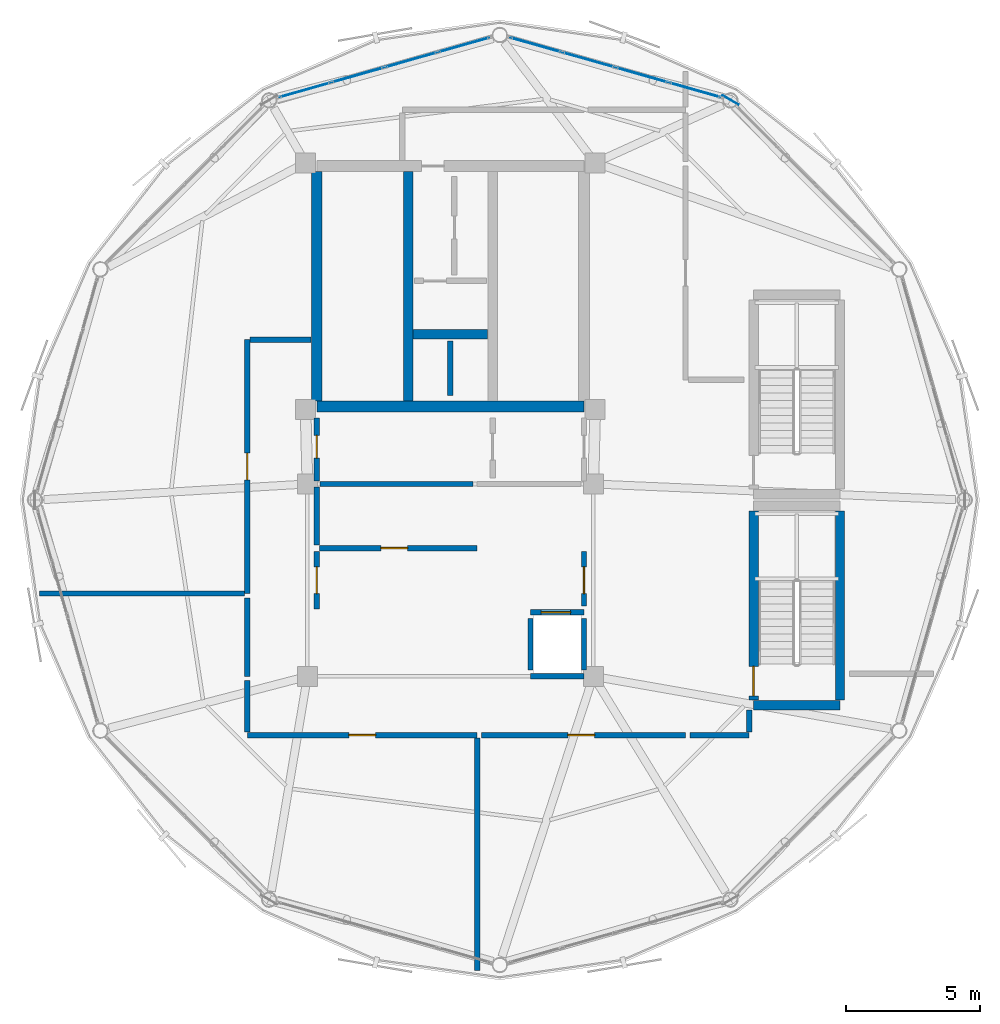
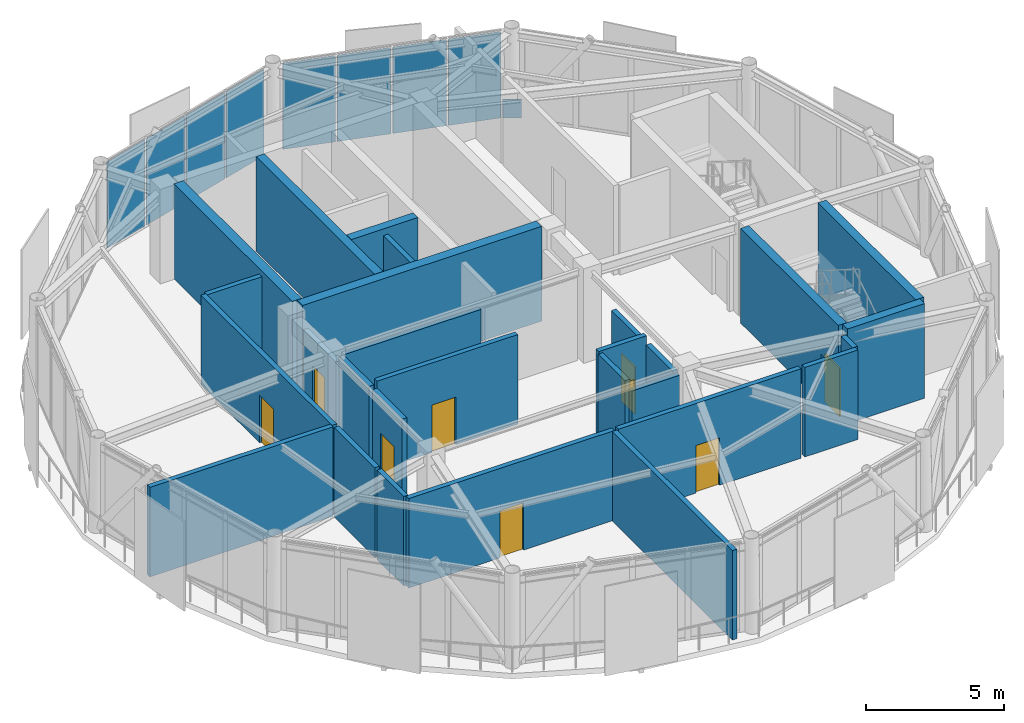
# One storey, part 16 of 20: 28 walls, 9 doors, 9 plates, 9 openings, 2 elements without a shape of their own.
"""IFC4 building model written with IfcOpenShell, lengths in metres."""

from ifc_helpers import new_model, si_unit, direction, frame, frame_2d, origin, origin_2d, place, context, subcontext, project, spatial, rectangle, extrude, source, transform, mapped, material, layer, layer_set, type_object, type_shapes, element, fill, aggregate, save


model = new_model("IFC4")

# Units and contexts
model_context = context("Model", 3, precision=1e-05, world=origin(), true_north=direction((0.0, 1.0)))
body_context = subcontext(model_context, "Body", "Model", "MODEL_VIEW")
ifc_project = project(units=[si_unit("LENGTHUNIT", "METRE"), si_unit("AREAUNIT", "SQUARE_METRE"), si_unit("VOLUMEUNIT", "CUBIC_METRE"), si_unit("PLANEANGLEUNIT", "RADIAN"), si_unit("MASSUNIT", "GRAM", prefix="KILO")], contexts=[model_context])

# Site, building, storey
site_placement = place(None, origin())
site = spatial("IfcSite", under=ifc_project, at=site_placement, CompositionType="ELEMENT")
building_placement = place(site_placement, origin())
building = spatial("IfcBuilding", under=site, at=building_placement, Name="Varnakorn Sky Granary", CompositionType="ELEMENT")
storey_placement = place(building_placement, frame((0.0, 0.0, 306.60009765625)))
storey = spatial("IfcBuildingStorey", under=building, at=storey_placement, Name="L78", CompositionType="ELEMENT", Elevation=306.60009765625)

# Plate
ifc_material_1 = material(Name="Steel S460M", Category="steel")
ifc_layer_1 = layer(ifc_material_1, 0.031982421875, Name="Steel S460M")
ifc_layer_set_1 = layer_set([ifc_layer_1], Name="Steel S460M")
plate_type_1 = type_object("IfcPlateType", Name="PL-NODE-KN8", PredefinedType="SHEET", material=ifc_layer_set_1)
plate_1_placement = place(storey_placement, frame((13.486083984375, 14.964111328125, 0.0), z_axis=(0.0, 0.0, 1.0), x_axis=(-0.866113789901, 0.499846879497, 0.0)))
element("IfcPlate", 1, at=plate_1_placement, inside=storey, type_object=plate_type_1, Name="Diagrid Node Gusset Assembly KN8 L78-3", PredefinedType="SHEET", context=body_context, shape_type="SweptSolid", body=[
    extrude(rectangle(XDim=0.699951171875, YDim=0.031982421875, at=origin_2d()), origin(), (0.0, 0.0, 1.0), 0.820068359375),
])

# Curtain wall, plates
ifc_material_2 = material(Name="Anodised Bronze Aluminium Alloy 6063-T6", Category="aluminium")
ifc_layer_2 = layer(ifc_material_2, 0.22998046875, Name="Anodised Bronze Aluminium Alloy 6063-T6")
ifc_layer_set_2 = layer_set([ifc_layer_2], Name="Anodised Bronze Aluminium Alloy 6063-T6")
curtain_wall_type = type_object("IfcCurtainWallType", Name="CW-LNT-1", PredefinedType="USERDEFINED", material=ifc_layer_set_2)
curtain_wall_1_placement = place(storey_placement, origin())
curtain_wall_1 = element("IfcCurtainWall", 2, at=curtain_wall_1_placement, inside=storey, type_object=curtain_wall_type, Name="Unitised Curtain Wall CW7 CW-L78-B03", ObjectType="CURTAIN WALL", PredefinedType="USERDEFINED")
ifc_material_3 = material(Name="Low-E Tinted Laminated Glass", Category="glass")
ifc_layer_3 = layer(ifc_material_3, 0.035888671875, Name="Low-E Tinted Laminated Glass")
ifc_layer_set_3 = layer_set([ifc_layer_3], Name="Low-E Tinted Laminated Glass")
plate_type_2 = type_object("IfcPlateType", Name="CW-LNT-1-PNL", PredefinedType="CURTAIN_PANEL")
shared_shape_1 = source(origin(), body_context, "Body", "SweptSolid", [
    extrude(rectangle(XDim=1.9619140625, YDim=0.035888671875, at=origin_2d()), origin(), (0.0, 0.0, 1.0), 3.81005859375),
])
plate_2_placement = place(storey_placement, frame((6.1923828125, 17.033203125, 0.074951171875), z_axis=(0.0, 0.0, 1.0), x_axis=(0.962041125905, -0.272904510897, 0.0)))
plate_2 = element("IfcPlate", 3, at=plate_2_placement, type_object=plate_type_2, material=ifc_layer_set_3, Name="CW7 vision glazing unit 1.1", PredefinedType="CURTAIN_PANEL", context=body_context, shape_type="MappedRepresentation", body=[
    mapped(shared_shape_1, transform((0.0, 0.0, 0.0), x_axis=(1.0, 0.0, 0.0), y_axis=(0.0, 1.0, 0.0), z_axis=(0.0, 0.0, 1.0), scale=1.0)),
])
ifc_material_4 = material(Name="Opaque Insulated Aluminium Shadow-Box Unit", Category="aluminium")
ifc_layer_4 = layer(ifc_material_4, 0.035888671875, Name="Opaque Insulated Aluminium Shadow-Box Unit")
ifc_layer_set_4 = layer_set([ifc_layer_4], Name="Opaque Insulated Aluminium Shadow-Box Unit")
plate_3_placement = place(storey_placement, frame((12.1435546875, 15.344970703125, 0.074951171875), z_axis=(0.0, 0.0, 1.0), x_axis=(0.962041125905, -0.272904510897, 0.0)))
plate_3 = element("IfcPlate", 4, at=plate_3_placement, type_object=plate_type_2, material=ifc_layer_set_4, Name="CW7 opaque insulated shadow-box unit 4.1", PredefinedType="CURTAIN_PANEL", context=body_context, shape_type="MappedRepresentation", body=[
    mapped(shared_shape_1, transform((0.0, 0.0, 0.0), x_axis=(1.0, 0.0, 0.0), y_axis=(0.0, 1.0, 0.0), z_axis=(0.0, 0.0, 1.0), scale=1.0)),
])

curtain_wall_2_placement = place(storey_placement, origin())
curtain_wall_2 = element("IfcCurtainWall", 5, at=curtain_wall_2_placement, inside=storey, type_object=curtain_wall_type, Name="Unitised Curtain Wall CW7 CW-L78-B04", ObjectType="CURTAIN WALL", PredefinedType="USERDEFINED")
plate_4_placement = place(storey_placement, frame((-2.443603515625, 15.344970703125, 0.074951171875), z_axis=(0.0, 0.0, 1.0), x_axis=(0.962041125905, 0.272904510897, 0.0)))
plate_4 = element("IfcPlate", 6, at=plate_4_placement, type_object=plate_type_2, material=ifc_layer_set_4, Name="CW7 opaque insulated shadow-box unit 1.1", PredefinedType="CURTAIN_PANEL", context=body_context, shape_type="MappedRepresentation", body=[
    mapped(shared_shape_1, transform((0.0, 0.0, 0.0), x_axis=(1.0, 0.0, 0.0), y_axis=(0.0, 1.0, 0.0), z_axis=(0.0, 0.0, 1.0), scale=1.0)),
])
plate_5_placement = place(storey_placement, frame((3.507568359375, 17.033203125, 0.074951171875), z_axis=(0.0, 0.0, 1.0), x_axis=(0.962041125905, 0.272904510897, 0.0)))
plate_5 = element("IfcPlate", 7, at=plate_5_placement, type_object=plate_type_2, material=ifc_layer_set_3, Name="CW7 vision glazing unit 4.1", PredefinedType="CURTAIN_PANEL", context=body_context, shape_type="MappedRepresentation", body=[
    mapped(shared_shape_1, transform((0.0, 0.0, 0.0), x_axis=(1.0, 0.0, 0.0), y_axis=(0.0, 1.0, 0.0), z_axis=(0.0, 0.0, 1.0), scale=1.0)),
])

# Plate
shared_shape_2 = source(origin(), body_context, "Body", "SweptSolid", [
    extrude(rectangle(XDim=1.99951171875, YDim=0.035888671875, at=origin_2d()), origin(), (0.0, 0.0, 1.0), 3.81005859375),
])
type_shapes(plate_type_2, [shared_shape_1, shared_shape_2])
plate_6_placement = place(storey_placement, frame((8.170166015625, 16.47216796875, 0.074951171875), z_axis=(0.0, 0.0, 1.0), x_axis=(0.962041125905, -0.272904510897, 0.0)))
plate_6 = element("IfcPlate", 8, at=plate_6_placement, type_object=plate_type_2, material=ifc_layer_set_3, Name="CW7 vision glazing unit 2.1", PredefinedType="CURTAIN_PANEL", context=body_context, shape_type="MappedRepresentation", body=[
    mapped(shared_shape_2, transform((0.0, 0.0, 0.0), x_axis=(1.0, 0.0, 0.0), y_axis=(0.0, 1.0, 0.0), z_axis=(0.0, 0.0, 1.0), scale=1.0)),
])

plate_7_placement = place(storey_placement, frame((10.165771484375, 15.906005859375, 0.074951171875), z_axis=(0.0, 0.0, 1.0), x_axis=(0.962041125905, -0.272904510897, 0.0)))
plate_7 = element("IfcPlate", 9, at=plate_7_placement, type_object=plate_type_2, material=ifc_layer_set_4, Name="CW7 opaque insulated shadow-box unit 3.1", PredefinedType="CURTAIN_PANEL", context=body_context, shape_type="MappedRepresentation", body=[
    mapped(shared_shape_2, transform((0.0, 0.0, 0.0), x_axis=(1.0, 0.0, 0.0), y_axis=(0.0, 1.0, 0.0), z_axis=(0.0, 0.0, 1.0), scale=1.0)),
])

aggregate(curtain_wall_1, [plate_2, plate_6, plate_7, plate_3])

plate_8_placement = place(storey_placement, frame((-0.4658203125, 15.906005859375, 0.074951171875), z_axis=(0.0, 0.0, 1.0), x_axis=(0.962041125905, 0.272904510897, 0.0)))
plate_8 = element("IfcPlate", 10, at=plate_8_placement, type_object=plate_type_2, material=ifc_layer_set_4, Name="CW7 opaque insulated shadow-box unit 2.1", PredefinedType="CURTAIN_PANEL", context=body_context, shape_type="MappedRepresentation", body=[
    mapped(shared_shape_2, transform((0.0, 0.0, 0.0), x_axis=(1.0, 0.0, 0.0), y_axis=(0.0, 1.0, 0.0), z_axis=(0.0, 0.0, 1.0), scale=1.0)),
])

plate_9_placement = place(storey_placement, frame((1.52978515625, 16.47216796875, 0.074951171875), z_axis=(0.0, 0.0, 1.0), x_axis=(0.962041125905, 0.272904510897, 0.0)))
plate_9 = element("IfcPlate", 11, at=plate_9_placement, type_object=plate_type_2, material=ifc_layer_set_3, Name="CW7 vision glazing unit 3.1", PredefinedType="CURTAIN_PANEL", context=body_context, shape_type="MappedRepresentation", body=[
    mapped(shared_shape_2, transform((0.0, 0.0, 0.0), x_axis=(1.0, 0.0, 0.0), y_axis=(0.0, 1.0, 0.0), z_axis=(0.0, 0.0, 1.0), scale=1.0)),
])

aggregate(curtain_wall_2, [plate_4, plate_8, plate_9, plate_5])

# Wall
ifc_material_5 = material(Name="Concrete C50/60", Category="concrete")
ifc_layer_5 = layer(ifc_material_5, 0.35009765625, Name="Concrete C50/60")
ifc_layer_set_5 = layer_set([ifc_layer_5], Name="Concrete C50/60")
wall_type_1 = type_object("IfcWallType", Name="WT-CW-INT-350", PredefinedType="SHEAR", material=ifc_layer_set_5)
wall_1_placement = place(storey_placement, frame((14.35009765625, -7.679931640625, 0.0), z_axis=(0.0, 0.0, 1.0), x_axis=(1.0, 0.0, 0.0)))
element("IfcWall", 12, at=wall_1_placement, inside=storey, type_object=wall_type_1, Name="Crown Stair STC2 South Wall L78", PredefinedType="SHEAR", context=body_context, shape_type="SweptSolid", body=[
    extrude(rectangle(XDim=3.22998046875, YDim=0.35009765625, at=frame_2d((1.614990234375, 0.0))), origin(), (0.0, 0.0, 1.0), 4.19189453125),
])

# Wall, opening, door
wall_2_placement = place(storey_placement, frame((14.35009765625, -7.489990234375, 0.0), z_axis=(0.0, 0.0, 1.0), x_axis=(0.0, 1.0, 0.0)))
wall_2 = element("IfcWall", 13, at=wall_2_placement, inside=storey, type_object=wall_type_1, Name="Crown Stair STC2 West Wall L78", PredefinedType="SHEAR", context=body_context, shape_type="SweptSolid", body=[
    extrude(rectangle(XDim=7.080078125, YDim=0.35009765625, at=frame_2d((3.5400390625, 0.0))), origin(), (0.0, 0.0, 1.0), 4.19189453125),
])
opening_1_placement = place(wall_2_placement, frame((0.159912109375, 0.0, 0.0)))
opening_1 = element("IfcOpeningElement", 14, at=opening_1_placement, cuts=wall_2, Name="Opening FD-90", PredefinedType="OPENING", context=body_context, shape_type="SweptSolid", body=[
    extrude(rectangle(XDim=1.10009765625, YDim=2.14990234375, at=frame_2d((0.550048828125, 1.074951171875))), frame((0.0, 0.18505859375, 0.0), z_axis=(0.0, -1.0, 0.0), x_axis=(1.0, 0.0, 0.0)), (0.0, 0.0, 1.0), 0.3701171875),
])
ifc_material_6 = material(Name="Galvanised Painted Steel Leaf", Category="steel")
door_type_1 = type_object("IfcDoorType", Name="DR-STAIR-1100", OperationType="NOTDEFINED", PredefinedType="DOOR", material=ifc_material_6)
door_1_placement = place(opening_1_placement, origin())
door_1 = element("IfcDoor", 15, at=door_1_placement, inside=storey, type_object=door_type_1, Name="Crown Stair STC2 Protected Fire Door L78", OperationType="SINGLE_SWING_RIGHT", OverallHeight=2.14990234375, OverallWidth=1.10009765625, PredefinedType="DOOR", context=body_context, shape_type="SweptSolid", body=[
    extrude(rectangle(XDim=1.10009765625, YDim=2.14990234375, at=frame_2d((0.550048828125, 1.074951171875))), frame((0.0, 0.02490234375, 0.0), z_axis=(0.0, -1.0, 0.0), x_axis=(1.0, 0.0, 0.0)), (0.0, 0.0, 1.0), 0.050048828125),
])
fill(opening_1, door_1)

# Walls
wall_3_placement = place(storey_placement, frame((17.580078125, -7.489990234375, 0.0), z_axis=(0.0, 0.0, 1.0), x_axis=(0.0, 1.0, 0.0)))
element("IfcWall", 16, at=wall_3_placement, inside=storey, type_object=wall_type_1, Name="Crown Stair STC2 East Wall L78", PredefinedType="SHEAR", context=body_context, shape_type="SweptSolid", body=[
    extrude(rectangle(XDim=7.080078125, YDim=0.35009765625, at=frame_2d((3.5400390625, 0.0))), origin(), (0.0, 0.0, 1.0), 4.19189453125),
])
wall_4_placement = place(storey_placement, frame((1.419921875, 3.7099609375, 0.0), z_axis=(0.0, 0.0, 1.0), x_axis=(0.0, 1.0, 0.0)))
element("IfcWall", 17, at=wall_4_placement, inside=storey, type_object=wall_type_1, Name="Stair ST-1 Core Wall L78", PredefinedType="SHEAR", context=body_context, shape_type="SweptSolid", body=[
    extrude(rectangle(XDim=8.580078125, YDim=0.35009765625, at=frame_2d((4.2900390625, 0.0))), origin(), (0.0, 0.0, 1.0), 4.19189453125),
])
wall_5_placement = place(storey_placement, frame((1.610107421875, 6.199951171875, 0.0), z_axis=(0.0, 0.0, 1.0), x_axis=(1.0, 0.0, 0.0)))
element("IfcWall", 18, at=wall_5_placement, inside=storey, type_object=wall_type_1, Name="Core Lift Shaft Cross Wall L78", PredefinedType="SHEAR", context=body_context, shape_type="SweptSolid", body=[
    extrude(rectangle(XDim=2.77978515625, YDim=0.35009765625, at=frame_2d((1.389892578125, 0.0))), origin(), (0.0, 0.0, 1.0), 4.19189453125),
])
ifc_layer_6 = layer(ifc_material_5, 0.39990234375, Name="Concrete C50/60")
ifc_layer_set_6 = layer_set([ifc_layer_6], Name="Concrete C50/60")
wall_type_2 = type_object("IfcWallType", Name="WT-CW-SHEAR-400", PredefinedType="SHEAR", material=ifc_layer_set_6)
wall_6_placement = place(storey_placement, frame((-2.0, 3.5, 0.0), z_axis=(0.0, 0.0, 1.0), x_axis=(1.0, 0.0, 0.0)))
element("IfcWall", 19, at=wall_6_placement, inside=storey, type_object=wall_type_2, Name="Core South Shear Wall L78", PredefinedType="SHEAR", context=body_context, shape_type="SweptSolid", body=[
    extrude(rectangle(XDim=10.0, YDim=0.39990234375, at=frame_2d((5.0, 0.0))), origin(), (0.0, 0.0, 1.0), 4.19189453125),
])
wall_7_placement = place(storey_placement, frame((-2.0, 3.7099609375, 0.0), z_axis=(0.0, 0.0, 1.0), x_axis=(0.0, 1.0, 0.0)))
element("IfcWall", 20, at=wall_7_placement, inside=storey, type_object=wall_type_2, Name="Core West Shear Wall L78", PredefinedType="SHEAR", context=body_context, shape_type="SweptSolid", body=[
    extrude(rectangle(XDim=8.580078125, YDim=0.39990234375, at=frame_2d((4.2900390625, 0.0))), origin(), (0.0, 0.0, 1.0), 4.19189453125),
])

# Wall, opening, door
ifc_material_7 = material(Name="Autoclaved Aerated Concrete Blockwork", Category="masonry")
ifc_layer_7 = layer(ifc_material_7, 0.199951171875, Name="Autoclaved Aerated Concrete Blockwork")
ifc_layer_set_7 = layer_set([ifc_layer_7], Name="Autoclaved Aerated Concrete Blockwork")
wall_type_3 = type_object("IfcWallType", Name="WT-FIRE-200", PredefinedType="MOVABLE", material=ifc_layer_set_7)
wall_8_placement = place(storey_placement, frame((-2.0, 0.719970703125, 0.0), z_axis=(0.0, 0.0, 1.0), x_axis=(0.0, 1.0, 0.0)))
wall_8 = element("IfcWall", 21, at=wall_8_placement, inside=storey, type_object=wall_type_3, Name="Interior Partition Wall L78-010", PredefinedType="MOVABLE", context=body_context, shape_type="SweptSolid", body=[
    extrude(rectangle(XDim=2.35009765625, YDim=0.199951171875, at=frame_2d((1.175048828125, 0.0))), origin(), (0.0, 0.0, 1.0), 3.2919921875),
])
opening_2_placement = place(wall_8_placement, frame((0.844970703125, 0.0, 0.0)))
opening_2 = element("IfcOpeningElement", 22, at=opening_2_placement, cuts=wall_8, Name="Opening FD-60N", PredefinedType="OPENING", context=body_context, shape_type="SweptSolid", body=[
    extrude(rectangle(XDim=0.85009765625, YDim=2.10009765625, at=frame_2d((0.425048828125, 1.050048828125))), frame((0.0, 0.10986328125, 0.0), z_axis=(0.0, -1.0, 0.0), x_axis=(1.0, 0.0, 0.0)), (0.0, 0.0, 1.0), 0.219970703125),
])
ifc_material_8 = material(Name="Acoustic Timber Fire Leaf", Category="wood")
door_type_2 = type_object("IfcDoorType", Name="DR-FD60-850", OperationType="NOTDEFINED", PredefinedType="DOOR", material=ifc_material_8)
door_2_placement = place(opening_2_placement, origin())
door_2 = element("IfcDoor", 23, at=door_2_placement, inside=storey, type_object=door_type_2, Name="Interior Door L78-010-1", OperationType="SINGLE_SWING_LEFT", OverallHeight=2.10009765625, OverallWidth=0.85009765625, PredefinedType="DOOR", context=body_context, shape_type="SweptSolid", body=[
    extrude(rectangle(XDim=0.85009765625, YDim=2.10009765625, at=frame_2d((0.425048828125, 1.050048828125))), frame((0.0, 0.02490234375, 0.0), z_axis=(0.0, -1.0, 0.0), x_axis=(1.0, 0.0, 0.0)), (0.0, 0.0, 1.0), 0.050048828125),
])
fill(opening_2, door_2)

wall_9_placement = place(storey_placement, frame((-2.0, -4.080078125, 0.0), z_axis=(0.0, 0.0, 1.0), x_axis=(0.0, 1.0, 0.0)))
wall_9 = element("IfcWall", 24, at=wall_9_placement, inside=storey, type_object=wall_type_3, Name="Interior Partition Wall L78-012", PredefinedType="MOVABLE", context=body_context, shape_type="SweptSolid", body=[
    extrude(rectangle(XDim=2.16015625, YDim=0.199951171875, at=frame_2d((1.080078125, 0.0))), origin(), (0.0, 0.0, 1.0), 3.671875),
])
opening_3_placement = place(wall_9_placement, frame((0.580078125, 0.0, 0.0)))
opening_3 = element("IfcOpeningElement", 25, at=opening_3_placement, cuts=wall_9, Name="Opening FD-60", PredefinedType="OPENING", context=body_context, shape_type="SweptSolid", body=[
    extrude(rectangle(XDim=1.0, YDim=2.10009765625, at=frame_2d((0.5, 1.050048828125))), frame((0.0, 0.10986328125, 0.0), z_axis=(0.0, -1.0, 0.0), x_axis=(1.0, 0.0, 0.0)), (0.0, 0.0, 1.0), 0.219970703125),
])
door_type_3 = type_object("IfcDoorType", Name="DR-FD60-1000", OperationType="NOTDEFINED", PredefinedType="DOOR", material=ifc_material_8)
door_3_placement = place(opening_3_placement, origin())
door_3 = element("IfcDoor", 26, at=door_3_placement, inside=storey, type_object=door_type_3, Name="Interior Door L78-012-1", OperationType="SINGLE_SWING_LEFT", OverallHeight=2.10009765625, OverallWidth=1.0, PredefinedType="DOOR", context=body_context, shape_type="SweptSolid", body=[
    extrude(rectangle(XDim=1.0, YDim=2.10009765625, at=frame_2d((0.5, 1.050048828125))), frame((0.0, 0.02490234375, 0.0), z_axis=(0.0, -1.0, 0.0), x_axis=(1.0, 0.0, 0.0)), (0.0, 0.0, 1.0), 0.050048828125),
])
fill(opening_3, door_3)

wall_10_placement = place(storey_placement, frame((8.0, -3.969970703125, 0.0), z_axis=(0.0, 0.0, 1.0), x_axis=(0.0, 1.0, 0.0)))
wall_10 = element("IfcWall", 27, at=wall_10_placement, inside=storey, type_object=wall_type_3, Name="Interior Partition Wall L78-013", PredefinedType="MOVABLE", context=body_context, shape_type="SweptSolid", body=[
    extrude(rectangle(XDim=2.050048828125, YDim=0.199951171875, at=frame_2d((1.02490234375, 0.0))), origin(), (0.0, 0.0, 1.0), 3.671875),
])
opening_4_placement = place(wall_10_placement, frame((0.469970703125, 0.0, 0.0)))
opening_4 = element("IfcOpeningElement", 28, at=opening_4_placement, cuts=wall_10, Name="Opening FD-60", PredefinedType="OPENING", context=body_context, shape_type="SweptSolid", body=[
    extrude(rectangle(XDim=1.0, YDim=2.10009765625, at=frame_2d((0.5, 1.050048828125))), frame((0.0, 0.10986328125, 0.0), z_axis=(0.0, -1.0, 0.0), x_axis=(1.0, 0.0, 0.0)), (0.0, 0.0, 1.0), 0.219970703125),
])
door_4_placement = place(opening_4_placement, origin())
door_4 = element("IfcDoor", 29, at=door_4_placement, inside=storey, type_object=door_type_3, Name="Interior Door L78-013-1", OperationType="SINGLE_SWING_RIGHT", OverallHeight=2.10009765625, OverallWidth=1.0, PredefinedType="DOOR", context=body_context, shape_type="SweptSolid", body=[
    extrude(rectangle(XDim=1.0, YDim=2.10009765625, at=frame_2d((0.5, 1.050048828125))), frame((0.0, 0.02490234375, 0.0), z_axis=(0.0, -1.0, 0.0), x_axis=(1.0, 0.0, 0.0)), (0.0, 0.0, 1.0), 0.050048828125),
])
fill(opening_4, door_4)

wall_11_placement = place(storey_placement, frame((-1.889892578125, -1.800048828125, 0.0), z_axis=(0.0, 0.0, 1.0), x_axis=(1.0, 0.0, 0.0)))
wall_11 = element("IfcWall", 30, at=wall_11_placement, inside=storey, type_object=wall_type_3, Name="Interior Partition Wall L78-014", PredefinedType="MOVABLE", context=body_context, shape_type="SweptSolid", body=[
    extrude(rectangle(XDim=5.889892578125, YDim=0.199951171875, at=frame_2d((2.94482421875, 0.0))), origin(), (0.0, 0.0, 1.0), 3.9599609375),
])
opening_5_placement = place(wall_11_placement, frame((2.2900390625, 0.0, 0.0)))
opening_5 = element("IfcOpeningElement", 31, at=opening_5_placement, cuts=wall_11, Name="Opening FD-60", PredefinedType="OPENING", context=body_context, shape_type="SweptSolid", body=[
    extrude(rectangle(XDim=1.0, YDim=2.10009765625, at=frame_2d((0.5, 1.050048828125))), frame((0.0, 0.10986328125, 0.0), z_axis=(0.0, -1.0, 0.0), x_axis=(1.0, 0.0, 0.0)), (0.0, 0.0, 1.0), 0.219970703125),
])
door_5_placement = place(opening_5_placement, origin())
door_5 = element("IfcDoor", 32, at=door_5_placement, inside=storey, type_object=door_type_3, Name="Interior Door L78-014-1", OperationType="SINGLE_SWING_LEFT", OverallHeight=2.10009765625, OverallWidth=1.0, PredefinedType="DOOR", context=body_context, shape_type="SweptSolid", body=[
    extrude(rectangle(XDim=1.0, YDim=2.10009765625, at=frame_2d((0.5, 1.050048828125))), frame((0.0, 0.02490234375, 0.0), z_axis=(0.0, -1.0, 0.0), x_axis=(1.0, 0.0, 0.0)), (0.0, 0.0, 1.0), 0.050048828125),
])
fill(opening_5, door_5)

wall_12_placement = place(storey_placement, frame((-4.60009765625, 6.0, 0.0), z_axis=(0.0, 0.0, 1.0), x_axis=(0.0, -1.0, 0.0)))
wall_12 = element("IfcWall", 33, at=wall_12_placement, inside=storey, type_object=wall_type_3, Name="Interior Partition Wall L78-015", PredefinedType="MOVABLE", context=body_context, shape_type="SweptSolid", body=[
    extrude(rectangle(XDim=9.5, YDim=0.199951171875, at=frame_2d((4.75, 0.0))), origin(), (0.0, 0.0, 1.0), 3.9599609375),
])
opening_6_placement = place(wall_12_placement, frame((4.25, 0.0, 0.0)))
opening_6 = element("IfcOpeningElement", 34, at=opening_6_placement, cuts=wall_12, Name="Opening FD-60", PredefinedType="OPENING", context=body_context, shape_type="SweptSolid", body=[
    extrude(rectangle(XDim=1.0, YDim=2.10009765625, at=frame_2d((0.5, 1.050048828125))), frame((0.0, 0.10986328125, 0.0), z_axis=(0.0, -1.0, 0.0), x_axis=(1.0, 0.0, 0.0)), (0.0, 0.0, 1.0), 0.219970703125),
])
door_6_placement = place(opening_6_placement, origin())
door_6 = element("IfcDoor", 35, at=door_6_placement, inside=storey, type_object=door_type_3, Name="Interior Door L78-015-1", OperationType="SINGLE_SWING_RIGHT", OverallHeight=2.10009765625, OverallWidth=1.0, PredefinedType="DOOR", context=body_context, shape_type="SweptSolid", body=[
    extrude(rectangle(XDim=1.0, YDim=2.10009765625, at=frame_2d((0.5, 1.050048828125))), frame((0.0, 0.02490234375, 0.0), z_axis=(0.0, -1.0, 0.0), x_axis=(1.0, 0.0, 0.0)), (0.0, 0.0, 1.0), 0.050048828125),
])
fill(opening_6, door_6)

wall_13_placement = place(storey_placement, frame((-4.60009765625, -8.800048828125, 0.0), z_axis=(0.0, 0.0, 1.0), x_axis=(1.0, 0.0, 0.0)))
wall_13 = element("IfcWall", 36, at=wall_13_placement, inside=storey, type_object=wall_type_3, Name="Interior Partition Wall L78-016", PredefinedType="MOVABLE", context=body_context, shape_type="SweptSolid", body=[
    extrude(rectangle(XDim=8.60009765625, YDim=0.199951171875, at=frame_2d((4.300048828125, 0.0))), origin(), (0.0, 0.0, 1.0), 3.9599609375),
])
opening_7_placement = place(wall_13_placement, frame((3.800048828125, 0.0, 0.0)))
opening_7 = element("IfcOpeningElement", 37, at=opening_7_placement, cuts=wall_13, Name="Opening FD-60", PredefinedType="OPENING", context=body_context, shape_type="SweptSolid", body=[
    extrude(rectangle(XDim=1.0, YDim=2.10009765625, at=frame_2d((0.5, 1.050048828125))), frame((0.0, 0.10986328125, 0.0), z_axis=(0.0, -1.0, 0.0), x_axis=(1.0, 0.0, 0.0)), (0.0, 0.0, 1.0), 0.219970703125),
])
door_7_placement = place(opening_7_placement, origin())
door_7 = element("IfcDoor", 38, at=door_7_placement, inside=storey, type_object=door_type_3, Name="Interior Door L78-016-1", OperationType="SINGLE_SWING_LEFT", OverallHeight=2.10009765625, OverallWidth=1.0, PredefinedType="DOOR", context=body_context, shape_type="SweptSolid", body=[
    extrude(rectangle(XDim=1.0, YDim=2.10009765625, at=frame_2d((0.5, 1.050048828125))), frame((0.0, 0.02490234375, 0.0), z_axis=(0.0, -1.0, 0.0), x_axis=(1.0, 0.0, 0.0)), (0.0, 0.0, 1.0), 0.050048828125),
])
fill(opening_7, door_7)

wall_14_placement = place(storey_placement, frame((4.159912109375, -8.800048828125, 0.0), z_axis=(0.0, 0.0, 1.0), x_axis=(1.0, 0.0, 0.0)))
wall_14 = element("IfcWall", 39, at=wall_14_placement, inside=storey, type_object=wall_type_3, Name="Interior Partition Wall L78-017", PredefinedType="MOVABLE", context=body_context, shape_type="SweptSolid", body=[
    extrude(rectangle(XDim=7.64013671875, YDim=0.199951171875, at=frame_2d((3.820068359375, 0.0))), origin(), (0.0, 0.0, 1.0), 3.9599609375),
])
opening_8_placement = place(wall_14_placement, frame((3.239990234375, 0.0, 0.0)))
opening_8 = element("IfcOpeningElement", 40, at=opening_8_placement, cuts=wall_14, Name="Opening FD-60", PredefinedType="OPENING", context=body_context, shape_type="SweptSolid", body=[
    extrude(rectangle(XDim=1.0, YDim=2.10009765625, at=frame_2d((0.5, 1.050048828125))), frame((0.0, 0.10986328125, 0.0), z_axis=(0.0, -1.0, 0.0), x_axis=(1.0, 0.0, 0.0)), (0.0, 0.0, 1.0), 0.219970703125),
])
door_8_placement = place(opening_8_placement, origin())
door_8 = element("IfcDoor", 41, at=door_8_placement, inside=storey, type_object=door_type_3, Name="Interior Door L78-017-1", OperationType="SINGLE_SWING_RIGHT", OverallHeight=2.10009765625, OverallWidth=1.0, PredefinedType="DOOR", context=body_context, shape_type="SweptSolid", body=[
    extrude(rectangle(XDim=1.0, YDim=2.10009765625, at=frame_2d((0.5, 1.050048828125))), frame((0.0, 0.02490234375, 0.0), z_axis=(0.0, -1.0, 0.0), x_axis=(1.0, 0.0, 0.0)), (0.0, 0.0, 1.0), 0.050048828125),
])
fill(opening_8, door_8)

# Walls
wall_15_placement = place(storey_placement, frame((-1.8798828125, 0.60009765625, 0.0), z_axis=(0.0, 0.0, 1.0), x_axis=(1.0, 0.0, 0.0)))
element("IfcWall", 42, at=wall_15_placement, inside=storey, type_object=wall_type_3, Name="Interior Partition Wall L78-019", PredefinedType="MOVABLE", context=body_context, shape_type="SweptSolid", body=[
    extrude(rectangle(XDim=5.719970703125, YDim=0.199951171875, at=frame_2d((2.85986328125, 0.0))), origin(), (0.0, 0.0, 1.0), 3.671875),
])
wall_16_placement = place(storey_placement, frame((-2.0, -1.679931640625, 0.0), z_axis=(0.0, 0.0, 1.0), x_axis=(0.0, 1.0, 0.0)))
element("IfcWall", 43, at=wall_16_placement, inside=storey, type_object=wall_type_3, Name="Interior Partition Wall L78-020", PredefinedType="MOVABLE", context=body_context, shape_type="SweptSolid", body=[
    extrude(rectangle(XDim=2.159912109375, YDim=0.199951171875, at=frame_2d((1.080078125, 0.0))), origin(), (0.0, 0.0, 1.0), 3.671875),
])
wall_17_placement = place(storey_placement, frame((-2.2099609375, 6.0, 0.0), z_axis=(0.0, 0.0, 1.0), x_axis=(-1.0, 0.0, 0.0)))
element("IfcWall", 44, at=wall_17_placement, inside=storey, type_object=wall_type_3, Name="Interior Partition Wall L78-023", PredefinedType="MOVABLE", context=body_context, shape_type="SweptSolid", body=[
    extrude(rectangle(XDim=2.280029296875, YDim=0.199951171875, at=frame_2d((1.14013671875, 0.0))), origin(), (0.0, 0.0, 1.0), 3.9599609375),
])
wall_18_placement = place(storey_placement, frame((-4.60009765625, -3.659912109375, 0.0), z_axis=(0.0, 0.0, 1.0), x_axis=(0.0, -1.0, 0.0)))
element("IfcWall", 45, at=wall_18_placement, inside=storey, type_object=wall_type_3, Name="Interior Partition Wall L78-025", PredefinedType="MOVABLE", context=body_context, shape_type="SweptSolid", body=[
    extrude(rectangle(XDim=2.940185546875, YDim=0.199951171875, at=frame_2d((1.47021484375, 0.0))), origin(), (0.0, 0.0, 1.0), 3.9599609375),
])
wall_19_placement = place(storey_placement, frame((-4.60009765625, -6.760009765625, 0.0), z_axis=(0.0, 0.0, 1.0), x_axis=(0.0, -1.0, 0.0)))
element("IfcWall", 46, at=wall_19_placement, inside=storey, type_object=wall_type_3, Name="Interior Partition Wall L78-026", PredefinedType="MOVABLE", context=body_context, shape_type="SweptSolid", body=[
    extrude(rectangle(XDim=1.929931640625, YDim=0.199951171875, at=frame_2d((0.96484375, 0.0))), origin(), (0.0, 0.0, 1.0), 3.9599609375),
])
wall_20_placement = place(storey_placement, frame((11.9599609375, -8.800048828125, 0.0), z_axis=(0.0, 0.0, 1.0), x_axis=(1.0, 0.0, 0.0)))
element("IfcWall", 47, at=wall_20_placement, inside=storey, type_object=wall_type_3, Name="Interior Partition Wall L78-027", PredefinedType="MOVABLE", context=body_context, shape_type="SweptSolid", body=[
    extrude(rectangle(XDim=2.219970703125, YDim=0.199951171875, at=frame_2d((1.10986328125, 0.0))), origin(), (0.0, 0.0, 1.0), 3.9599609375),
])
wall_21_placement = place(storey_placement, frame((14.179931640625, -8.68994140625, 0.0), z_axis=(0.0, 0.0, 1.0), x_axis=(0.0, 1.0, 0.0)))
element("IfcWall", 48, at=wall_21_placement, inside=storey, type_object=wall_type_3, Name="Interior Partition Wall L78-028", PredefinedType="MOVABLE", context=body_context, shape_type="SweptSolid", body=[
    extrude(rectangle(XDim=0.83984375, YDim=0.199951171875, at=frame_2d((0.419921875, 0.0))), origin(), (0.0, 0.0, 1.0), 3.9599609375),
])
wall_22_placement = place(storey_placement, frame((-4.7099609375, -3.5, 0.0), z_axis=(0.0, 0.0, 1.0), x_axis=(-1.0, 0.0, 0.0)))
element("IfcWall", 49, at=wall_22_placement, inside=storey, type_object=wall_type_3, Name="Interior Partition Wall L78-031", PredefinedType="MOVABLE", context=body_context, shape_type="SweptSolid", body=[
    extrude(rectangle(XDim=7.662109375, YDim=0.199951171875, at=frame_2d((3.8310546875, 0.0))), origin(), (0.0, 0.0, 1.0), 3.9599609375),
])
wall_23_placement = place(storey_placement, frame((4.0, -8.909912109375, 0.0), z_axis=(0.0, 0.0, 1.0), x_axis=(0.0, -1.0, 0.0)))
element("IfcWall", 50, at=wall_23_placement, inside=storey, type_object=wall_type_3, Name="Interior Partition Wall L78-033", PredefinedType="MOVABLE", context=body_context, shape_type="SweptSolid", body=[
    extrude(rectangle(XDim=8.694091796875, YDim=0.199951171875, at=frame_2d((4.34716796875, 0.0))), origin(), (0.0, 0.0, 1.0), 3.9599609375),
])
ifc_layer_8 = layer(ifc_material_7, 0.199951171875, Name="Autoclaved Aerated Concrete Blockwork")
ifc_layer_set_8 = layer_set([ifc_layer_8], Name="Autoclaved Aerated Concrete Blockwork")
wall_type_4 = type_object("IfcWallType", Name="WT-SHAFT-200", PredefinedType="SOLIDWALL", material=ifc_layer_set_8)
wall_24_placement = place(storey_placement, frame((3.0, 3.919921875, 0.0), z_axis=(0.0, 0.0, 1.0), x_axis=(0.0, 1.0, 0.0)))
element("IfcWall", 51, at=wall_24_placement, inside=storey, type_object=wall_type_4, Name="Interior Partition Wall L78-001", PredefinedType="SOLIDWALL", context=body_context, shape_type="SweptSolid", body=[
    extrude(rectangle(XDim=2.030029296875, YDim=0.199951171875, at=frame_2d((1.01513671875, 0.0))), origin(), (0.0, 0.0, 1.0), 3.9599609375),
])

# Wall, opening, door
wall_25_placement = place(storey_placement, frame((6.0, -4.199951171875, 0.0), z_axis=(0.0, 0.0, 1.0), x_axis=(1.0, 0.0, 0.0)))
wall_25 = element("IfcWall", 52, at=wall_25_placement, inside=storey, type_object=wall_type_4, Name="Interior Partition Wall L78-003", PredefinedType="SOLIDWALL", context=body_context, shape_type="SweptSolid", body=[
    extrude(rectangle(XDim=2.0, YDim=0.199951171875, at=frame_2d((1.0, 0.0))), origin(), (0.0, 0.0, 1.0), 3.9599609375),
])
opening_9_placement = place(wall_25_placement, frame((0.39990234375, 0.0, 0.0)))
opening_9 = element("IfcOpeningElement", 53, at=opening_9_placement, cuts=wall_25, Name="Opening LD-01", PredefinedType="OPENING", context=body_context, shape_type="SweptSolid", body=[
    extrude(rectangle(XDim=1.10009765625, YDim=2.199951171875, at=frame_2d((0.550048828125, 1.10009765625))), frame((0.0, 0.10986328125, 0.0), z_axis=(0.0, -1.0, 0.0), x_axis=(1.0, 0.0, 0.0)), (0.0, 0.0, 1.0), 0.219970703125),
])
ifc_material_9 = material(Name="Brushed Bronze Stainless Steel", Category="steel")
door_type_4 = type_object("IfcDoorType", Name="DR-LD-1100", OperationType="DOUBLE_DOOR_SLIDING", PredefinedType="DOOR", material=ifc_material_9)
door_9_placement = place(opening_9_placement, origin())
door_9 = element("IfcDoor", 54, at=door_9_placement, inside=storey, type_object=door_type_4, Name="Passenger Lift PL-H2 Sliding Landing Door L78", OperationType="DOUBLE_DOOR_SLIDING", OverallHeight=2.199951171875, OverallWidth=1.10009765625, PredefinedType="DOOR", context=body_context, shape_type="SweptSolid", body=[
    extrude(rectangle(XDim=1.10009765625, YDim=2.199951171875, at=frame_2d((0.550048828125, 1.10009765625))), frame((0.0, 0.02490234375, 0.0), z_axis=(0.0, -1.0, 0.0), x_axis=(1.0, 0.0, 0.0)), (0.0, 0.0, 1.0), 0.050048828125),
])
fill(opening_9, door_9)

# Walls
wall_26_placement = place(storey_placement, frame((6.0, -6.60009765625, 0.0), z_axis=(0.0, 0.0, 1.0), x_axis=(1.0, 0.0, 0.0)))
element("IfcWall", 55, at=wall_26_placement, inside=storey, type_object=wall_type_4, Name="Interior Partition Wall L78-004", PredefinedType="SOLIDWALL", context=body_context, shape_type="SweptSolid", body=[
    extrude(rectangle(XDim=2.0, YDim=0.199951171875, at=frame_2d((1.0, 0.0))), origin(), (0.0, 0.0, 1.0), 3.671875),
])
wall_27_placement = place(storey_placement, frame((6.0, -6.3701171875, 0.0), z_axis=(0.0, 0.0, 1.0), x_axis=(0.0, 1.0, 0.0)))
element("IfcWall", 56, at=wall_27_placement, inside=storey, type_object=wall_type_4, Name="Interior Partition Wall L78-005", PredefinedType="SOLIDWALL", context=body_context, shape_type="SweptSolid", body=[
    extrude(rectangle(XDim=1.940185546875, YDim=0.199951171875, at=frame_2d((0.97021484375, 0.0))), origin(), (0.0, 0.0, 1.0), 3.9599609375),
])
wall_28_placement = place(storey_placement, frame((8.0, -6.3701171875, 0.0), z_axis=(0.0, 0.0, 1.0), x_axis=(0.0, 1.0, 0.0)))
element("IfcWall", 57, at=wall_28_placement, inside=storey, type_object=wall_type_4, Name="Interior Partition Wall L78-006", PredefinedType="SOLIDWALL", context=body_context, shape_type="SweptSolid", body=[
    extrude(rectangle(XDim=1.940185546875, YDim=0.199951171875, at=frame_2d((0.97021484375, 0.0))), origin(), (0.0, 0.0, 1.0), 3.671875),
])

save(model, "model.ifc")
